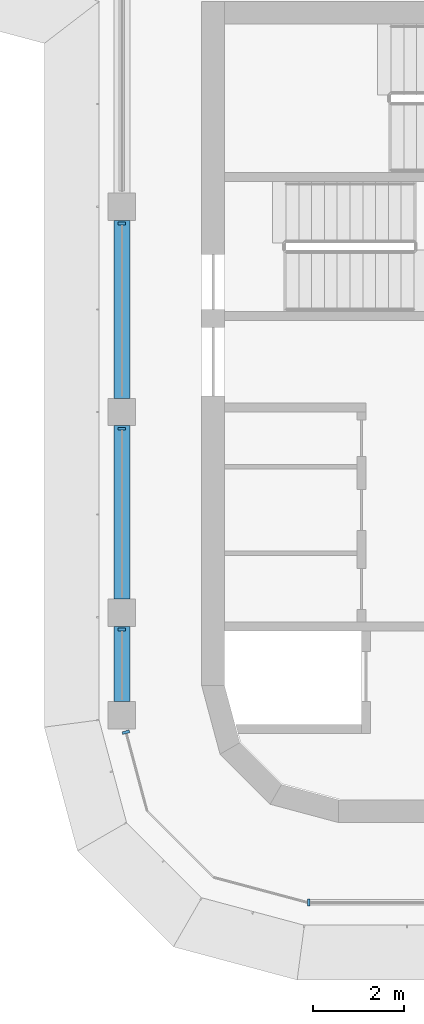
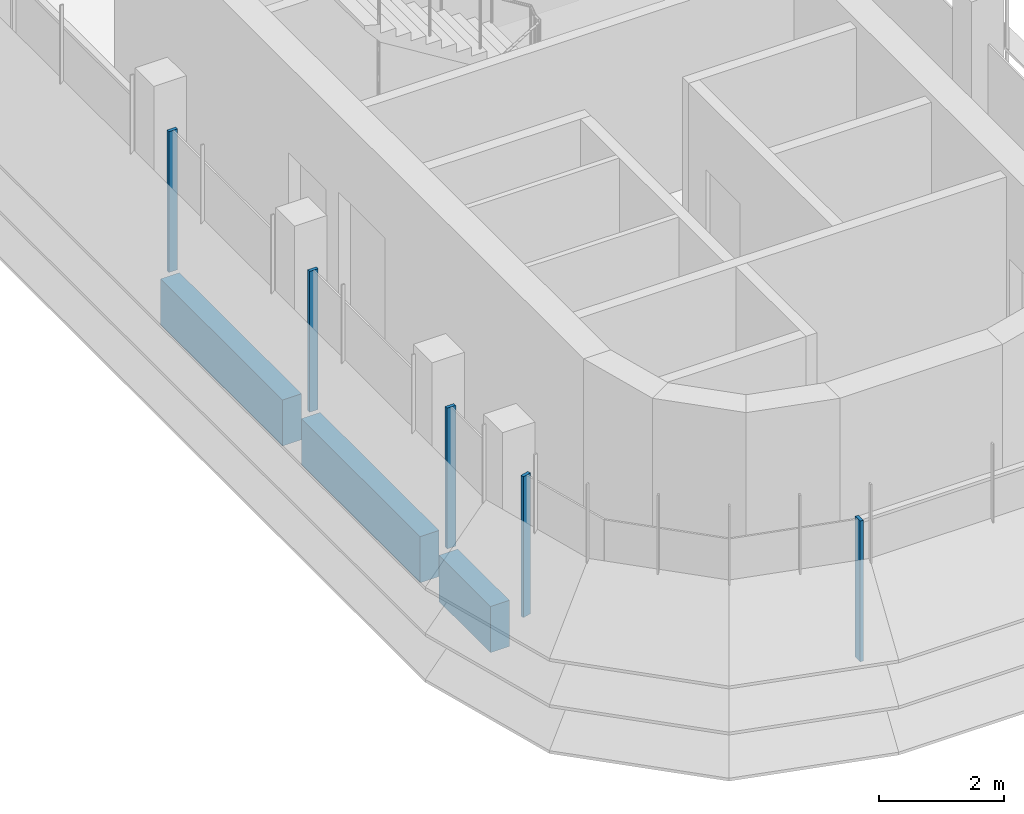
# One storey, part 2 of 19: 5 members, 3 beams, 3 elements without a shape of their own.
"""IFC4 building model written with IfcOpenShell, lengths in metres."""

import ifcopenshell
import ifcopenshell.guid

model = None  # the IFC model being written
_history = None  # IfcOwnerHistory: only IFC2X3 demands one
_inside = {}  # id of a spatial element -> (the spatial element, [elements in it])
_under = {}  # id of a project, library or spatial element -> (it, [spatial elements below it])
_declared = {}  # id of a project -> (the project, [libraries it declares])
_typed = {}  # id of a type object -> (the type object, [elements of that type])
_made_of = {}  # id of a material, layer set ... -> (it, [elements and type objects made of it])


def new_model(schema):
    """Start an empty IFC model of exactly this schema.

    Asked for "IFC4X3", IfcOpenShell would pick the latest addendum, in which some entities
    have other attributes; the version numbers below select the first issue.
    IFC2X3 requires an IfcOwnerHistory on every rooted entity: one is made here for all.
    """
    global model, _history
    if schema == "IFC4X3":
        model = ifcopenshell.file(schema_version=(4, 3, 0, 0))
    else:
        model = ifcopenshell.file(schema=schema)
    _inside.clear()
    _under.clear()
    _declared.clear()
    _typed.clear()
    _made_of.clear()
    _history = None
    if model.schema == "IFC2X3":
        org = make("IfcOrganization", Name="unknown")
        user = make(
            "IfcPersonAndOrganization",
            ThePerson=make("IfcPerson", FamilyName="unknown"),
            TheOrganization=org,
        )
        app = make(
            "IfcApplication",
            ApplicationDeveloper=org,
            Version="unknown",
            ApplicationFullName="unknown",
            ApplicationIdentifier="unknown",
        )
        _history = make(
            "IfcOwnerHistory",
            OwningUser=user,
            OwningApplication=app,
            ChangeAction="ADDED",
            CreationDate=0,
        )
    return model


def make(cls, **values):
    """One entity of the class cls with the attributes given. An attribute that is None is left unset."""
    return model.create_entity(
        cls, **{name: value for name, value in values.items() if value is not None}
    )


def rooted(cls, **values):
    """An entity with a GlobalId (a new one), such as an element, a storey or a relation."""
    return make(cls, GlobalId=ifcopenshell.guid.new(), OwnerHistory=_history, **values)


def si_unit(unit_type, name, prefix=None):
    """IfcSIUnit, for example si_unit("LENGTHUNIT", "METRE", prefix="MILLI")."""
    return make("IfcSIUnit", UnitType=unit_type, Prefix=prefix, Name=name)


def assignment(units):
    """IfcUnitAssignment: the units of a project."""
    return None if units is None else make("IfcUnitAssignment", Units=units)


def point(xyz):
    """IfcCartesianPoint."""
    return None if xyz is None else make("IfcCartesianPoint", Coordinates=xyz)


def direction(xyz):
    """IfcDirection."""
    return None if xyz is None else make("IfcDirection", DirectionRatios=xyz)


def frame(location, z_axis=None, x_axis=None):
    """IfcAxis2Placement3D, a coordinate frame: its origin and axes. An axis left out is left unset."""
    return make(
        "IfcAxis2Placement3D",
        Location=point(location),
        Axis=direction(z_axis),
        RefDirection=direction(x_axis),
    )


def frame_2d(location, x_axis=None):
    """IfcAxis2Placement2D, a coordinate frame in the plane: its origin and x axis."""
    return make(
        "IfcAxis2Placement2D", Location=point(location), RefDirection=direction(x_axis)
    )


def origin():
    """The frame at (0, 0, 0) with its axes left unset."""
    return frame((0.0, 0.0, 0.0))


def origin_2d():
    """The frame at (0, 0) in the plane with its x axis left unset."""
    return frame_2d((0.0, 0.0))


def place(relative_to, where):
    """IfcLocalPlacement: puts the frame where relative to a parent placement (None: the world)."""
    return make(
        "IfcLocalPlacement", PlacementRelTo=relative_to, RelativePlacement=where
    )


def context(
    kind, dimensions, precision=None, world=None, true_north=None, identifier=None
):
    """IfcGeometricRepresentationContext, for example the 3D "Model" context."""
    return make(
        "IfcGeometricRepresentationContext",
        ContextIdentifier=identifier,
        ContextType=kind,
        CoordinateSpaceDimension=dimensions,
        Precision=precision,
        WorldCoordinateSystem=world,
        TrueNorth=true_north,
    )


def subcontext(parent, identifier, kind, view, scale=None):
    """IfcGeometricRepresentationSubContext, for example "Body" below "Model"."""
    return make(
        "IfcGeometricRepresentationSubContext",
        ContextIdentifier=identifier,
        ContextType=kind,
        ParentContext=parent,
        TargetScale=scale,
        TargetView=view,
    )


def project(units=None, contexts=None):
    """IfcProject with its units and contexts."""
    return rooted(
        "IfcProject",
        Name="project",
        RepresentationContexts=contexts,
        UnitsInContext=assignment(units),
    )


def spatial(cls, under=None, at=None, **own):
    """A site, building, storey or space (cls), placed at a placement, below another one or the project."""
    s = rooted(cls, ObjectPlacement=at, **own)
    if under is not None:
        _under.setdefault(under.id(), (under, []))[1].append(s)
    return s


def polyline(points):
    """IfcPolyline through the points."""
    return make("IfcPolyline", Points=[point(p) for p in points])


def profile(cls, at=None, kind="AREA", **sizes):
    """A parametric profile (cls). Its sizes go by their IFC names, for example OverallWidth=200.0."""
    return make(cls, ProfileType=kind, Position=at, **sizes)


def rectangle(**sizes):
    """IfcRectangleProfileDef."""
    return profile("IfcRectangleProfileDef", **sizes)


def outline(outer, holes=None, kind="AREA"):
    """IfcArbitraryClosedProfileDef: a profile drawn as a closed curve; with holes, ...WithVoids."""
    if holes is None:
        return make("IfcArbitraryClosedProfileDef", ProfileType=kind, OuterCurve=outer)
    return make(
        "IfcArbitraryProfileDefWithVoids",
        ProfileType=kind,
        OuterCurve=outer,
        InnerCurves=holes,
    )


def extrude(swept, where, along, depth):
    """IfcExtrudedAreaSolid: the profile swept, set in the frame where, extruded along a direction by depth."""
    return make(
        "IfcExtrudedAreaSolid",
        SweptArea=swept,
        Position=where,
        ExtrudedDirection=direction(along),
        Depth=depth,
    )


def shape(context_of_items, identifier, shape_type, items):
    """IfcShapeRepresentation: the items that make up one representation, for example the "Body"."""
    return make(
        "IfcShapeRepresentation",
        ContextOfItems=context_of_items,
        RepresentationIdentifier=identifier,
        RepresentationType=shape_type,
        Items=items,
    )


def source(mapping_origin, context_of_items, identifier, shape_type, items):
    """IfcRepresentationMap: a shape defined once, which mapped items show again and again."""
    return make(
        "IfcRepresentationMap",
        MappingOrigin=mapping_origin,
        MappedRepresentation=shape(context_of_items, identifier, shape_type, items),
    )


def transform(
    local_origin,
    x_axis=None,
    y_axis=None,
    z_axis=None,
    scale=None,
    scale2=None,
    scale3=None,
    uniform=True,
):
    """IfcCartesianTransformationOperator3D, or its non-uniform kind. x_axis, y_axis, z_axis: its Axis1, 2, 3."""
    if uniform:
        return make(
            "IfcCartesianTransformationOperator3D",
            Axis1=direction(x_axis),
            Axis2=direction(y_axis),
            LocalOrigin=point(local_origin),
            Scale=scale,
            Axis3=direction(z_axis),
        )
    return make(
        "IfcCartesianTransformationOperator3DnonUniform",
        Axis1=direction(x_axis),
        Axis2=direction(y_axis),
        LocalOrigin=point(local_origin),
        Scale=scale,
        Axis3=direction(z_axis),
        Scale2=scale2,
        Scale3=scale3,
    )


def mapped(mapping_source, mapping_target):
    """IfcMappedItem: shows the shape of a source again, moved by a transform."""
    return make(
        "IfcMappedItem", MappingSource=mapping_source, MappingTarget=mapping_target
    )


def material(Name=None, Category=None):
    """IfcMaterial."""
    return make("IfcMaterial", Name=Name, Category=Category)


def material_profile(
    of_material, cross_section, Name=None, Category=None, Priority=None
):
    """IfcMaterialProfile: a cross section and its material."""
    return make(
        "IfcMaterialProfile",
        Name=Name,
        Material=of_material,
        Profile=cross_section,
        Priority=Priority,
        Category=Category,
    )


def profile_set(profiles, Name=None, composite=None):
    """IfcMaterialProfileSet."""
    return make(
        "IfcMaterialProfileSet",
        Name=Name,
        MaterialProfiles=profiles,
        CompositeProfile=composite,
    )


def made_of(thing, what):
    """Note that an element or type object is made of a material, layer set ...; save() writes the relation."""
    if what is not None:
        _made_of.setdefault(what.id(), (what, []))[1].append(thing)
    return thing


def type_object(cls, material=None, **own):
    """A type object (cls), such as IfcWallType, which elements share."""
    return made_of(rooted(cls, **own), material)


def element(
    cls,
    number,
    at=None,
    inside=None,
    cuts=None,
    type_object=None,
    material=None,
    context=None,
    identifier="Body",
    shape_type=None,
    held_by="IfcProductDefinitionShape",
    body=None,
    shapes=None,
    **own,
):
    """One element of the class cls, such as IfcWall. Its Tag is "e" and its number.

    at: its placement. inside: the storey or other place that contains it. cuts: it is an
    opening in that element (IfcRelVoidsElement). A single representation is given by context,
    identifier, shape_type and body (its items); several are given by shapes. held_by: the class
    of the entity that holds the representations. save() writes the other relations.
    """
    e = rooted(cls, Tag="e%d" % number, ObjectPlacement=at, **own)
    if body is not None:
        shapes = [shape(context, identifier, shape_type, body)]
    if shapes is not None:
        e.Representation = make(held_by, Representations=shapes)
    if inside is not None:
        _inside.setdefault(inside.id(), (inside, []))[1].append(e)
    if cuts is not None:
        rooted(
            "IfcRelVoidsElement", RelatingBuildingElement=cuts, RelatedOpeningElement=e
        )
    if type_object is not None:
        _typed.setdefault(type_object.id(), (type_object, []))[1].append(e)
    return made_of(e, material)


def aggregate(whole, parts):
    """IfcRelAggregates: a whole, such as a stair, and the parts it consists of."""
    return rooted("IfcRelAggregates", RelatingObject=whole, RelatedObjects=parts)


def save(model, path):
    """Write the relations noted so far, then the file.

    IfcRelAggregates (storeys below a building ...), IfcRelContainedInSpatialStructure (elements
    in a storey), IfcRelDefinesByType, IfcRelAssociatesMaterial and IfcRelDeclares: one each for
    every whole, place, type object, material and project.
    """
    for whole, parts in _under.values():
        aggregate(whole, parts)
    for where, things in _inside.values():
        rooted(
            "IfcRelContainedInSpatialStructure",
            RelatedElements=things,
            RelatingStructure=where,
        )
    for kind, things in _typed.values():
        rooted("IfcRelDefinesByType", RelatedObjects=things, RelatingType=kind)
    for what, things in _made_of.values():
        rooted("IfcRelAssociatesMaterial", RelatedObjects=things, RelatingMaterial=what)
    for by, libraries in _declared.values():
        rooted("IfcRelDeclares", RelatingContext=by, RelatedDefinitions=libraries)
    model.write(path)


model = new_model("IFC4")

# Units and contexts
model_context = context("Model", 3, precision=1e-05, world=origin(), true_north=direction((0.0, 1.0)))
body_context = subcontext(model_context, "Body", "Model", "MODEL_VIEW")
ifc_project = project(units=[si_unit("LENGTHUNIT", "METRE"), si_unit("AREAUNIT", "SQUARE_METRE"), si_unit("VOLUMEUNIT", "CUBIC_METRE"), si_unit("PLANEANGLEUNIT", "RADIAN"), si_unit("MASSUNIT", "GRAM", prefix="KILO")], contexts=[model_context])

# Site, building, storey
site_placement = place(None, origin())
site = spatial("IfcSite", under=ifc_project, at=site_placement, CompositionType="ELEMENT")
building_placement = place(site_placement, origin())
building = spatial("IfcBuilding", under=site, at=building_placement, Name="Zarbagh Exchange Tower", CompositionType="ELEMENT")
storey_placement = place(building_placement, frame((0.0, 0.0, 265.0)))
storey = spatial("IfcBuildingStorey", under=building, at=storey_placement, Name="L65", CompositionType="ELEMENT", Elevation=265.0)

# Beams
ifc_material_1 = material(Name="Concrete C40/50", Category="concrete")
ifc_material_profile = material_profile(ifc_material_1, rectangle(XDim=0.35009765625, YDim=0.89990234375, at=origin_2d()), Name="RC spandrel beam 350 x 900 C40/50")
ifc_profile_set = profile_set([ifc_material_profile], Name="Concrete C40/50")
beam_type = type_object("IfcBeamType", Name="RC spandrel beam 350 x 900 C40/50", PredefinedType="SPANDREL", material=ifc_profile_set)
beam_1_placement = place(storey_placement, frame((-6.25, -26.60009765625, -0.60009765625), z_axis=(0.0, 1.0, 0.0), x_axis=(-1.0, 0.0, 0.0)))
element("IfcBeam", 1, at=beam_1_placement, inside=storey, type_object=beam_type, Name="RC spandrel beam", PredefinedType="SPANDREL", context=body_context, shape_type="SweptSolid", body=[
    extrude(rectangle(XDim=0.35009765625, YDim=0.89990234375, at=origin_2d()), origin(), (0.0, 0.0, 1.0), 1.650146484375),
])
beam_2_placement = place(storey_placement, frame((-6.25, -24.35009765625, -0.60009765625), z_axis=(0.0, 1.0, 0.0), x_axis=(-1.0, 0.0, 0.0)))
element("IfcBeam", 2, at=beam_2_placement, inside=storey, type_object=beam_type, Name="RC spandrel beam", PredefinedType="SPANDREL", context=body_context, shape_type="SweptSolid", body=[
    extrude(rectangle(XDim=0.35009765625, YDim=0.89990234375, at=origin_2d()), origin(), (0.0, 0.0, 1.0), 3.800048828125),
])
beam_3_placement = place(storey_placement, frame((-6.25, -19.949951171875, -0.60009765625), z_axis=(0.0, 1.0, 0.0), x_axis=(-1.0, 0.0, 0.0)))
element("IfcBeam", 3, at=beam_3_placement, inside=storey, type_object=beam_type, Name="RC spandrel beam", PredefinedType="SPANDREL", context=body_context, shape_type="SweptSolid", body=[
    extrude(rectangle(XDim=0.35009765625, YDim=0.89990234375, at=origin_2d()), origin(), (0.0, 0.0, 1.0), 3.89990234375),
])

# Curtain wall, members
ifc_material_2 = material(Name="Anodised aluminium frame and glazing", Category="aluminium")
curtain_wall_type = type_object("IfcCurtainWallType", Name="CWB Ribbon glazing, upper zones", PredefinedType="NOTDEFINED", material=ifc_material_2)
curtain_wall_1_placement = place(storey_placement, origin())
curtain_wall_1 = element("IfcCurtainWall", 4, at=curtain_wall_1_placement, inside=storey, type_object=curtain_wall_type, Name="CWB53 curtain wall", PredefinedType="NOTDEFINED")
ifc_material_3 = material(Name="Anodised aluminium frame", Category="aluminium")
member_type = type_object("IfcMemberType", Name="MUB Mullion, anodised aluminium frame", PredefinedType="MULLION", material=ifc_material_3)
shared_shape = source(origin(), body_context, "Body", "SweptSolid", [
    extrude(outline(polyline([(0.0, -0.080078125), (0.06005859375, -0.080078125), (0.06005859375, 0.080078125), (0.0, 0.080078125), (0.0, -0.080078125)])), origin(), (0.0, 0.0, 1.0), 2.75),
])
placement = place(storey_placement, origin())
member_1 = element("IfcMember", 5, at=placement, type_object=member_type, Name="CWB53 mullion 2.1", PredefinedType="MULLION", context=body_context, shape_type="MappedRepresentation", body=[
    mapped(shared_shape, transform((-6.25, -16.090087890625, 0.0), x_axis=(0.0, -1.0, 0.0), y_axis=(1.0, 0.0, 0.0), z_axis=(0.0, 0.0, 1.0))),
])
member_2 = element("IfcMember", 6, at=placement, type_object=member_type, Name="CWB53 mullion 3.1", PredefinedType="MULLION", context=body_context, shape_type="MappedRepresentation", body=[
    mapped(shared_shape, transform((-6.25, -20.590087890625, 0.0), x_axis=(0.0, -1.0, 0.0), y_axis=(1.0, 0.0, 0.0), z_axis=(0.0, 0.0, 1.0))),
])
member_3 = element("IfcMember", 7, at=placement, type_object=member_type, Name="CWB53 mullion 4.1", PredefinedType="MULLION", context=body_context, shape_type="MappedRepresentation", body=[
    mapped(shared_shape, transform((-6.25, -24.989990234375, 0.0), x_axis=(0.0, -1.0, 0.0), y_axis=(1.0, 0.0, 0.0), z_axis=(0.0, 0.0, 1.0))),
])
aggregate(curtain_wall_1, [member_1, member_2, member_3])

# Curtain wall, member
curtain_wall_2_placement = place(storey_placement, origin())
curtain_wall_2 = element("IfcCurtainWall", 8, at=curtain_wall_2_placement, inside=storey, type_object=curtain_wall_type, Name="CWB54 curtain wall", PredefinedType="NOTDEFINED")
member_4 = element("IfcMember", 9, at=placement, type_object=member_type, Name="CWB54 mullion 1.1", PredefinedType="MULLION", context=body_context, shape_type="MappedRepresentation", body=[
    mapped(shared_shape, transform((-6.16796875, -27.239990234375, 0.0), x_axis=(0.258824779902, -0.965924289636, 0.0), y_axis=(0.965924289636, 0.258824779902, 0.0), z_axis=(0.0, 0.0, 1.0))),
])
aggregate(curtain_wall_2, [member_4])

curtain_wall_3_placement = place(storey_placement, origin())
curtain_wall_3 = element("IfcCurtainWall", 10, at=curtain_wall_3_placement, inside=storey, type_object=curtain_wall_type, Name="CWB57 curtain wall", PredefinedType="NOTDEFINED")
member_5 = element("IfcMember", 11, at=placement, type_object=member_type, Name="CWB57 mullion 1.1", PredefinedType="MULLION", context=body_context, shape_type="MappedRepresentation", body=[
    mapped(shared_shape, transform((-2.18408203125, -31.0, 0.0), x_axis=(1.0, 0.0, 0.0), y_axis=(0.0, 1.0, 0.0), z_axis=(0.0, 0.0, 1.0))),
])
aggregate(curtain_wall_3, [member_5])

save(model, "model.ifc")
